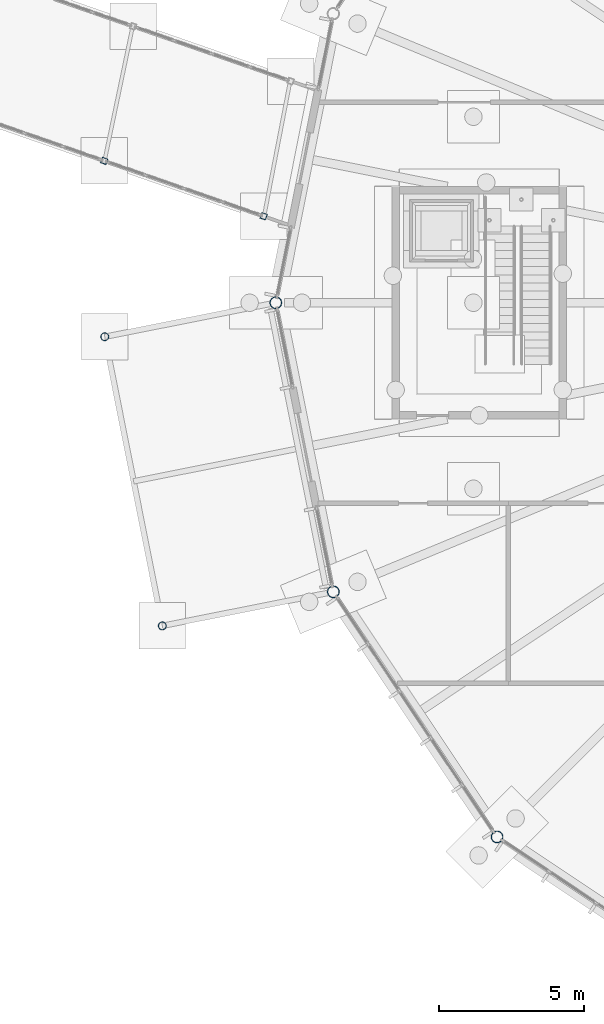
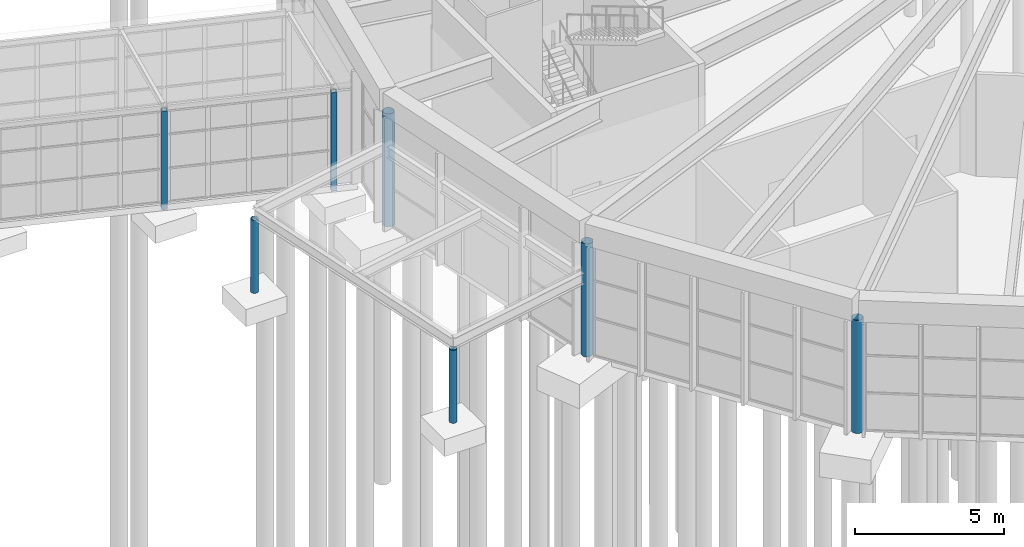
# One storey, part 14 of 226: 7 columns.
"""IFC4 building model written with IfcOpenShell, lengths in metres."""

from ifc_helpers import new_model, si_unit, direction, frame, origin, origin_2d, place, context, subcontext, project, spatial, hollow_rectangle, hollow_circle, extrude, material, material_profile, profile_set, type_object, element, save


model = new_model("IFC4")

# Units and contexts
model_context = context("Model", 3, precision=1e-05, world=origin(), true_north=direction((0.0, 1.0)))
body_context = subcontext(model_context, "Body", "Model", "MODEL_VIEW")
ifc_project = project(units=[si_unit("LENGTHUNIT", "METRE"), si_unit("AREAUNIT", "SQUARE_METRE"), si_unit("VOLUMEUNIT", "CUBIC_METRE"), si_unit("PLANEANGLEUNIT", "RADIAN"), si_unit("MASSUNIT", "GRAM", prefix="KILO")], contexts=[model_context])

# Site, building, storey
site_placement = place(None, origin())
site = spatial("IfcSite", under=ifc_project, at=site_placement, CompositionType="ELEMENT")
building_placement = place(site_placement, origin())
building = spatial("IfcBuilding", under=site, at=building_placement, Name="Ceibo Conservatory and Research Tower", CompositionType="ELEMENT")
storey_placement = place(building_placement, origin())
storey = spatial("IfcBuildingStorey", under=building, at=storey_placement, Name="L00", CompositionType="ELEMENT", Elevation=0.0)

# Columns
ifc_material_1 = material(Name="Steel ASTM A500 Gr C", Category="steel")
ifc_material_profile_1 = material_profile(ifc_material_1, hollow_circle(Radius=0.136474609375, WallThickness=0.00927734375, at=origin_2d()), Name="CHS column 273.1x9.27")
ifc_profile_set_1 = profile_set([ifc_material_profile_1], Name="Steel ASTM A500 Gr C")
column_type_1 = type_object("IfcColumnType", Name="CHS column 273.1x9.27", PredefinedType="COLUMN", material=ifc_profile_set_1)
for number, where, z_axis, x_axis, name in (
    (1, (136.115234375, 34.829345703125, 0.0), (0.0, 0.0, 1.0), (1.0, 0.0, 0.0), "Canopy column West 1"),
    (2, (138.094482421875, 24.879638671875, 0.0), (0.0, 0.0, 1.0), (1.0, 0.0, 0.0), "Canopy column West 2"),
):
    element("IfcColumn", number, at=place(storey_placement, frame(where, z_axis=z_axis, x_axis=x_axis)), inside=storey, type_object=column_type_1, Name=name, PredefinedType="COLUMN", context=body_context, shape_type="SweptSolid", body=[
        extrude(hollow_circle(Radius=0.136474609375, WallThickness=0.00927734375, at=origin_2d()), origin(), (0.0, 0.0, 1.0), 2.9990234375),
    ])
ifc_material_profile_2 = material_profile(ifc_material_1, hollow_circle(Radius=0.203125, WallThickness=0.0126953125, at=origin_2d()), Name="CHS column 406.4x12.70")
ifc_profile_set_2 = profile_set([ifc_material_profile_2], Name="Steel ASTM A500 Gr C")
column_type_2 = type_object("IfcColumnType", Name="CHS column 406.4x12.70", PredefinedType="COLUMN", material=ifc_profile_set_2)
for number, where, z_axis, x_axis, name in (
    (3, (142.0, 36.0, 0.0), (0.0, 0.0, 1.0), (1.0, 0.0, 0.0), "Pavilion column VC-C09"),
    (4, (143.979248046875, 26.05029296875, 0.0), (0.0, 0.0, 1.0), (1.0, 0.0, 0.0), "Pavilion column VC-C10"),
    (5, (149.615234375, 17.615234375, 0.0), (0.0, 0.0, 1.0), (1.0, 0.0, 0.0), "Pavilion column VC-C11"),
):
    element("IfcColumn", number, at=place(storey_placement, frame(where, z_axis=z_axis, x_axis=x_axis)), inside=storey, type_object=column_type_2, Name=name, PredefinedType="COLUMN", context=body_context, shape_type="SweptSolid", body=[
        extrude(hollow_circle(Radius=0.203125, WallThickness=0.0126953125, at=origin_2d()), origin(), (0.0, 0.0, 1.0), 4.64892578125),
    ])
ifc_material_2 = material(Name="Steel S355J2H", Category="steel")
ifc_material_profile_3 = material_profile(ifc_material_2, hollow_rectangle(XDim=0.199951171875, YDim=0.199951171875, WallThickness=0.010009765625, at=origin_2d()), Name="RHS column 200x200x10")
ifc_profile_set_3 = profile_set([ifc_material_profile_3], Name="Steel S355J2H")
column_type_3 = type_object("IfcColumnType", Name="RHS column 200x200x10", PredefinedType="COLUMN", material=ifc_profile_set_3)
for number, where, z_axis, x_axis, name in (
    (6, (136.09375, 40.883544921875, -0.25), (0.0, 0.0, 1.0), (0.944579236191, -0.328283515513, 0.0), "Gallery column AUD-VC-CS13"),
    (7, (141.58203125, 38.97607421875, -0.25), (0.0, 0.0, 1.0), (0.944579236191, -0.328283515513, 0.0), "Gallery column AUD-VC-CS14"),
):
    element("IfcColumn", number, at=place(storey_placement, frame(where, z_axis=z_axis, x_axis=x_axis)), inside=storey, type_object=column_type_3, Name=name, PredefinedType="COLUMN", context=body_context, shape_type="SweptSolid", body=[
        extrude(hollow_rectangle(XDim=0.199951171875, YDim=0.199951171875, WallThickness=0.010009765625, at=origin_2d()), origin(), (0.0, 0.0, 1.0), 4.050048828125),
    ])

save(model, "model.ifc")
